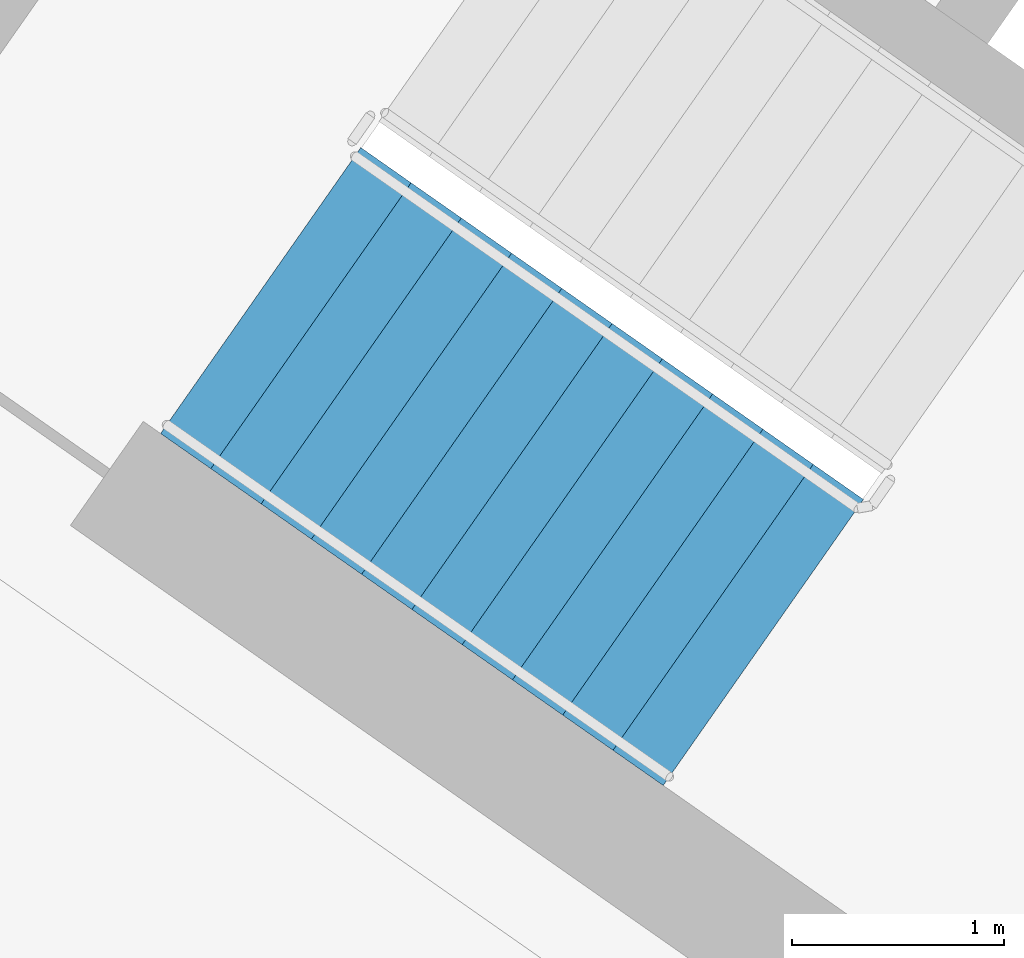
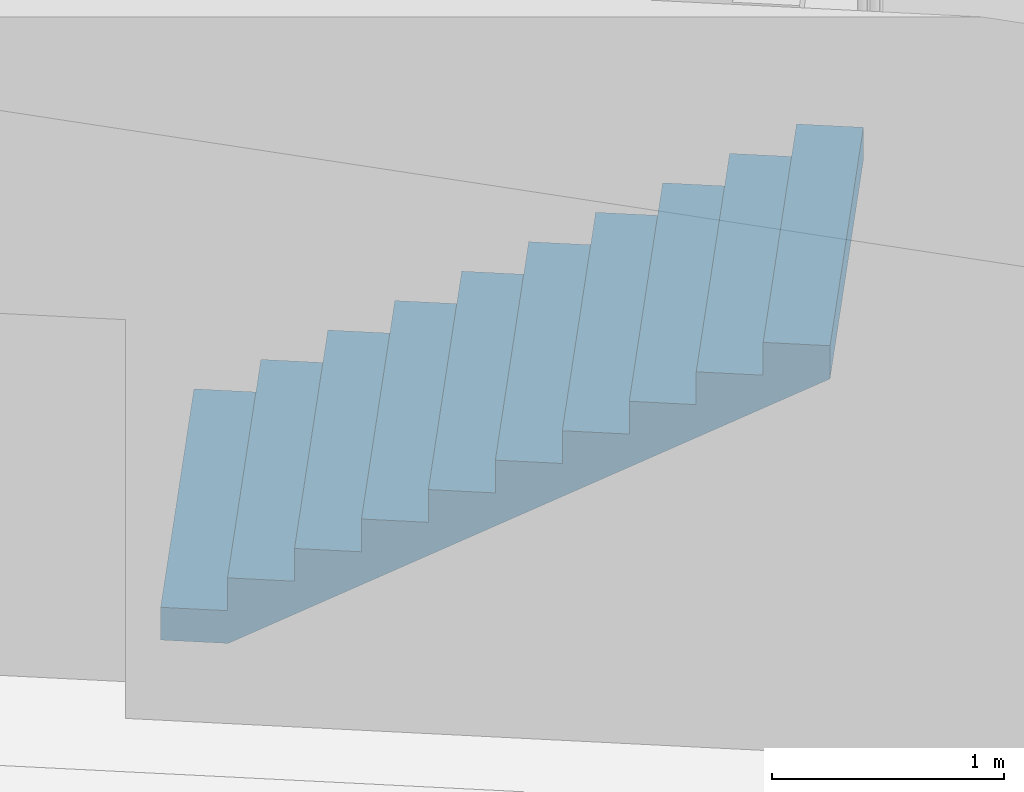
# One storey, part 9 of 27: 1 stair flight, 1 element without a shape of its own.
"""IFC4 building model written with IfcOpenShell, lengths in metres."""

from ifc_helpers import new_model, si_unit, direction, frame, origin, place, context, subcontext, project, spatial, faceted_brep, material, type_object, element, aggregate, save


model = new_model("IFC4")

# Units and contexts
model_context = context("Model", 3, precision=1e-05, world=origin(), true_north=direction((0.0, 1.0)))
body_context = subcontext(model_context, "Body", "Model", "MODEL_VIEW")
ifc_project = project(units=[si_unit("LENGTHUNIT", "METRE"), si_unit("AREAUNIT", "SQUARE_METRE"), si_unit("VOLUMEUNIT", "CUBIC_METRE"), si_unit("PLANEANGLEUNIT", "RADIAN"), si_unit("MASSUNIT", "GRAM", prefix="KILO")], contexts=[model_context])

# Site, building, storey
site_placement = place(None, origin())
site = spatial("IfcSite", under=ifc_project, at=site_placement, CompositionType="ELEMENT")
building_placement = place(site_placement, origin())
building = spatial("IfcBuilding", under=site, at=building_placement, Name="Qamariyya Broadcast Tower", CompositionType="ELEMENT")
storey_placement = place(building_placement, frame((0.0, 0.0, 237.89990234375)))
storey = spatial("IfcBuildingStorey", under=building, at=storey_placement, Name="L57", CompositionType="ELEMENT", Elevation=237.89990234375)

# Stair, stair flight
ifc_material = material(Name="Concrete C50/60", Category="concrete")
stair_type = type_object("IfcStairType", Name="Exit stair 22 risers of 173 mm", PredefinedType="HALF_TURN_STAIR", material=ifc_material)
stair_placement = place(storey_placement, origin())
stair = element("IfcStair", 1, at=stair_placement, inside=storey, type_object=stair_type, Name="L57 Stair W1", PredefinedType="HALF_TURN_STAIR")
stair_flight_type = type_object("IfcStairFlightType", Name="Exit stair flight 11 risers of 173 mm", PredefinedType="STRAIGHT", material=ifc_material)
stair_flight_placement = place(storey_placement, frame((-47.06884765625, -56.982666015625, 0.0), z_axis=(0.0, 0.0, 1.0), x_axis=(0.819152044289, -0.573576436351, 0.0)))
stair_flight = element("IfcStairFlight", 2, at=stair_flight_placement, type_object=stair_flight_type, Name="ST-W1 flight 1", NumberOfRisers=11, NumberOfTreads=10, PredefinedType="STRAIGHT", RiserHeight=0.172727273, TreadLength=0.29, context=body_context, shape_type="Brep", body=[
    faceted_brep([(0.0, 0.824951171875, 0.0), (0.0, 0.824951171875, 0.172607421875), (0.2900390625, 0.824951171875, 0.172607421875), (0.2900390625, 0.824951171875, 0.345458984375), (0.580078125, 0.824951171875, 0.345458984375), (0.580078125, 0.824951171875, 0.51806640625), (0.8701171875, 0.824951171875, 0.51806640625), (0.8701171875, 0.824951171875, 0.69091796875), (1.159912109375, 0.824951171875, 0.69091796875), (1.159912109375, 0.824951171875, 0.863525390625), (1.449951171875, 0.824951171875, 0.863525390625), (1.449951171875, 0.824951171875, 1.036376953125), (1.739990234375, 0.824951171875, 1.036376953125), (1.739990234375, 0.824951171875, 1.208984375), (2.030029296875, 0.824951171875, 1.208984375), (2.030029296875, 0.824951171875, 1.3818359375), (2.320068359375, 0.824951171875, 1.3818359375), (2.320068359375, 0.824951171875, 1.554443359375), (2.610107421875, 0.824951171875, 1.554443359375), (2.610107421875, 0.824951171875, 1.727294921875), (2.89990234375, 0.824951171875, 1.727294921875), (2.89990234375, 0.824951171875, 1.552734375), (0.29296875, 0.824951171875, 0.0), (0.29296875, -0.824951171875, 0.0), (2.89990234375, -0.824951171875, 1.552734375), (2.89990234375, -0.824951171875, 1.727294921875), (2.610107421875, -0.824951171875, 1.727294921875), (2.610107421875, -0.824951171875, 1.554443359375), (2.320068359375, -0.824951171875, 1.554443359375), (2.320068359375, -0.824951171875, 1.3818359375), (2.030029296875, -0.824951171875, 1.3818359375), (2.030029296875, -0.824951171875, 1.208984375), (1.739990234375, -0.824951171875, 1.208984375), (1.739990234375, -0.824951171875, 1.036376953125), (1.449951171875, -0.824951171875, 1.036376953125), (1.449951171875, -0.824951171875, 0.863525390625), (1.159912109375, -0.824951171875, 0.863525390625), (1.159912109375, -0.824951171875, 0.69091796875), (0.8701171875, -0.824951171875, 0.69091796875), (0.8701171875, -0.824951171875, 0.51806640625), (0.580078125, -0.824951171875, 0.51806640625), (0.580078125, -0.824951171875, 0.345458984375), (0.2900390625, -0.824951171875, 0.345458984375), (0.2900390625, -0.824951171875, 0.172607421875), (0.0, -0.824951171875, 0.172607421875), (0.0, -0.824951171875, 0.0), (0.0, 0.10009765625, 0.0), (0.0, 0.086669921875, 0.0), (0.0, 0.0732421875, 0.0), (0.0, 0.06005859375, 0.0), (0.0, 0.046630859375, 0.0), (0.0, 0.033447265625, 0.0), (0.0, 0.02001953125, 0.0), (0.0, 0.006591796875, 0.0), (0.0, -0.006591796875, 0.0), (0.0, -0.02001953125, 0.0), (0.0, -0.033447265625, 0.0), (0.0, -0.046630859375, 0.0), (0.0, -0.06005859375, 0.0), (0.0, -0.0732421875, 0.0), (0.0, -0.086669921875, 0.0), (0.0, -0.10009765625, 0.0), (0.0, -0.10009765625, 0.172607421875), (0.0, -0.086669921875, 0.172607421875), (0.0, -0.0732421875, 0.172607421875), (0.0, -0.06005859375, 0.172607421875), (0.0, -0.046630859375, 0.172607421875), (0.0, -0.033447265625, 0.172607421875), (0.0, -0.02001953125, 0.172607421875), (0.0, -0.006591796875, 0.172607421875), (0.0, 0.006591796875, 0.172607421875), (0.0, 0.02001953125, 0.172607421875), (0.0, 0.033447265625, 0.172607421875), (0.0, 0.046630859375, 0.172607421875), (0.0, 0.06005859375, 0.172607421875), (0.0, 0.0732421875, 0.172607421875), (0.0, 0.086669921875, 0.172607421875), (0.0, 0.10009765625, 0.172607421875), (0.2900390625, -0.10009765625, 0.172607421875), (0.2900390625, -0.086669921875, 0.172607421875), (0.2900390625, -0.0732421875, 0.172607421875), (0.2900390625, -0.06005859375, 0.172607421875), (0.2900390625, -0.046630859375, 0.172607421875), (0.2900390625, -0.033447265625, 0.172607421875), (0.2900390625, -0.02001953125, 0.172607421875), (0.2900390625, -0.006591796875, 0.172607421875), (0.2900390625, 0.006591796875, 0.172607421875), (0.2900390625, 0.02001953125, 0.172607421875), (0.2900390625, 0.033447265625, 0.172607421875), (0.2900390625, 0.046630859375, 0.172607421875), (0.2900390625, 0.06005859375, 0.172607421875), (0.2900390625, 0.0732421875, 0.172607421875), (0.2900390625, 0.086669921875, 0.172607421875), (0.2900390625, 0.10009765625, 0.172607421875), (0.2900390625, -0.10009765625, 0.345458984375), (0.2900390625, -0.086669921875, 0.345458984375), (0.2900390625, -0.0732421875, 0.345458984375), (0.2900390625, -0.06005859375, 0.345458984375), (0.2900390625, -0.046630859375, 0.345458984375), (0.2900390625, -0.033447265625, 0.345458984375), (0.2900390625, -0.02001953125, 0.345458984375), (0.2900390625, -0.006591796875, 0.345458984375), (0.2900390625, 0.006591796875, 0.345458984375), (0.2900390625, 0.02001953125, 0.345458984375), (0.2900390625, 0.033447265625, 0.345458984375), (0.2900390625, 0.046630859375, 0.345458984375), (0.2900390625, 0.06005859375, 0.345458984375), (0.2900390625, 0.0732421875, 0.345458984375), (0.2900390625, 0.086669921875, 0.345458984375), (0.2900390625, 0.10009765625, 0.345458984375), (0.580078125, -0.10009765625, 0.345458984375), (0.580078125, -0.086669921875, 0.345458984375), (0.580078125, -0.0732421875, 0.345458984375), (0.580078125, -0.06005859375, 0.345458984375), (0.580078125, -0.046630859375, 0.345458984375), (0.580078125, -0.033447265625, 0.345458984375), (0.580078125, -0.02001953125, 0.345458984375), (0.580078125, -0.006591796875, 0.345458984375), (0.580078125, 0.006591796875, 0.345458984375), (0.580078125, 0.02001953125, 0.345458984375), (0.580078125, 0.033447265625, 0.345458984375), (0.580078125, 0.046630859375, 0.345458984375), (0.580078125, 0.06005859375, 0.345458984375), (0.580078125, 0.0732421875, 0.345458984375), (0.580078125, 0.086669921875, 0.345458984375), (0.580078125, 0.10009765625, 0.345458984375), (0.580078125, -0.10009765625, 0.51806640625), (0.580078125, -0.086669921875, 0.51806640625), (0.580078125, -0.0732421875, 0.51806640625), (0.580078125, -0.06005859375, 0.51806640625), (0.580078125, -0.046630859375, 0.51806640625), (0.580078125, -0.033447265625, 0.51806640625), (0.580078125, -0.02001953125, 0.51806640625), (0.580078125, -0.006591796875, 0.51806640625), (0.580078125, 0.006591796875, 0.51806640625), (0.580078125, 0.02001953125, 0.51806640625), (0.580078125, 0.033447265625, 0.51806640625), (0.580078125, 0.046630859375, 0.51806640625), (0.580078125, 0.06005859375, 0.51806640625), (0.580078125, 0.0732421875, 0.51806640625), (0.580078125, 0.086669921875, 0.51806640625), (0.580078125, 0.10009765625, 0.51806640625), (0.8701171875, -0.10009765625, 0.51806640625), (0.8701171875, -0.086669921875, 0.51806640625), (0.8701171875, -0.0732421875, 0.51806640625), (0.8701171875, -0.06005859375, 0.51806640625), (0.8701171875, -0.046630859375, 0.51806640625), (0.8701171875, -0.033447265625, 0.51806640625), (0.8701171875, -0.02001953125, 0.51806640625), (0.8701171875, -0.006591796875, 0.51806640625), (0.8701171875, 0.006591796875, 0.51806640625), (0.8701171875, 0.02001953125, 0.51806640625), (0.8701171875, 0.033447265625, 0.51806640625), (0.8701171875, 0.046630859375, 0.51806640625), (0.8701171875, 0.06005859375, 0.51806640625), (0.8701171875, 0.0732421875, 0.51806640625), (0.8701171875, 0.086669921875, 0.51806640625), (0.8701171875, 0.10009765625, 0.51806640625), (0.8701171875, -0.10009765625, 0.69091796875), (0.8701171875, -0.086669921875, 0.69091796875), (0.8701171875, -0.0732421875, 0.69091796875), (0.8701171875, -0.06005859375, 0.69091796875), (0.8701171875, -0.046630859375, 0.69091796875), (0.8701171875, -0.033447265625, 0.69091796875), (0.8701171875, -0.02001953125, 0.69091796875), (0.8701171875, -0.006591796875, 0.69091796875), (0.8701171875, 0.006591796875, 0.69091796875), (0.8701171875, 0.02001953125, 0.69091796875), (0.8701171875, 0.033447265625, 0.69091796875), (0.8701171875, 0.046630859375, 0.69091796875), (0.8701171875, 0.06005859375, 0.69091796875), (0.8701171875, 0.0732421875, 0.69091796875), (0.8701171875, 0.086669921875, 0.69091796875), (0.8701171875, 0.10009765625, 0.69091796875), (1.159912109375, -0.10009765625, 0.69091796875), (1.159912109375, -0.086669921875, 0.69091796875), (1.159912109375, -0.0732421875, 0.69091796875), (1.159912109375, -0.06005859375, 0.69091796875), (1.159912109375, -0.046630859375, 0.69091796875), (1.159912109375, -0.033447265625, 0.69091796875), (1.159912109375, -0.02001953125, 0.69091796875), (1.159912109375, -0.006591796875, 0.69091796875), (1.159912109375, 0.006591796875, 0.69091796875), (1.159912109375, 0.02001953125, 0.69091796875), (1.159912109375, 0.033447265625, 0.69091796875), (1.159912109375, 0.046630859375, 0.69091796875), (1.159912109375, 0.06005859375, 0.69091796875), (1.159912109375, 0.0732421875, 0.69091796875), (1.159912109375, 0.086669921875, 0.69091796875), (1.159912109375, 0.10009765625, 0.69091796875), (1.159912109375, -0.10009765625, 0.863525390625), (1.159912109375, -0.086669921875, 0.863525390625), (1.159912109375, -0.0732421875, 0.863525390625), (1.159912109375, -0.06005859375, 0.863525390625), (1.159912109375, -0.046630859375, 0.863525390625), (1.159912109375, -0.033447265625, 0.863525390625), (1.159912109375, -0.02001953125, 0.863525390625), (1.159912109375, -0.006591796875, 0.863525390625), (1.159912109375, 0.006591796875, 0.863525390625), (1.159912109375, 0.02001953125, 0.863525390625), (1.159912109375, 0.033447265625, 0.863525390625), (1.159912109375, 0.046630859375, 0.863525390625), (1.159912109375, 0.06005859375, 0.863525390625), (1.159912109375, 0.0732421875, 0.863525390625), (1.159912109375, 0.086669921875, 0.863525390625), (1.159912109375, 0.10009765625, 0.863525390625), (1.449951171875, -0.10009765625, 0.863525390625), (1.449951171875, -0.086669921875, 0.863525390625), (1.449951171875, -0.0732421875, 0.863525390625), (1.449951171875, -0.06005859375, 0.863525390625), (1.449951171875, -0.046630859375, 0.863525390625), (1.449951171875, -0.033447265625, 0.863525390625), (1.449951171875, -0.02001953125, 0.863525390625), (1.449951171875, -0.006591796875, 0.863525390625), (1.449951171875, 0.006591796875, 0.863525390625), (1.449951171875, 0.02001953125, 0.863525390625), (1.449951171875, 0.033447265625, 0.863525390625), (1.449951171875, 0.046630859375, 0.863525390625), (1.449951171875, 0.06005859375, 0.863525390625), (1.449951171875, 0.0732421875, 0.863525390625), (1.449951171875, 0.086669921875, 0.863525390625), (1.449951171875, 0.10009765625, 0.863525390625), (1.449951171875, -0.10009765625, 1.036376953125), (1.449951171875, -0.086669921875, 1.036376953125), (1.449951171875, -0.0732421875, 1.036376953125), (1.449951171875, -0.06005859375, 1.036376953125), (1.449951171875, -0.046630859375, 1.036376953125), (1.449951171875, -0.033447265625, 1.036376953125), (1.449951171875, -0.02001953125, 1.036376953125), (1.449951171875, -0.006591796875, 1.036376953125), (1.449951171875, 0.006591796875, 1.036376953125), (1.449951171875, 0.02001953125, 1.036376953125), (1.449951171875, 0.033447265625, 1.036376953125), (1.449951171875, 0.046630859375, 1.036376953125), (1.449951171875, 0.06005859375, 1.036376953125), (1.449951171875, 0.0732421875, 1.036376953125), (1.449951171875, 0.086669921875, 1.036376953125), (1.449951171875, 0.10009765625, 1.036376953125), (1.739990234375, -0.10009765625, 1.036376953125), (1.739990234375, -0.086669921875, 1.036376953125), (1.739990234375, -0.0732421875, 1.036376953125), (1.739990234375, -0.06005859375, 1.036376953125), (1.739990234375, -0.046630859375, 1.036376953125), (1.739990234375, -0.033447265625, 1.036376953125), (1.739990234375, -0.02001953125, 1.036376953125), (1.739990234375, -0.006591796875, 1.036376953125), (1.739990234375, 0.006591796875, 1.036376953125), (1.739990234375, 0.02001953125, 1.036376953125), (1.739990234375, 0.033447265625, 1.036376953125), (1.739990234375, 0.046630859375, 1.036376953125), (1.739990234375, 0.06005859375, 1.036376953125), (1.739990234375, 0.0732421875, 1.036376953125), (1.739990234375, 0.086669921875, 1.036376953125), (1.739990234375, 0.10009765625, 1.036376953125), (1.739990234375, -0.10009765625, 1.208984375), (1.739990234375, -0.086669921875, 1.208984375), (1.739990234375, -0.0732421875, 1.208984375), (1.739990234375, -0.06005859375, 1.208984375), (1.739990234375, -0.046630859375, 1.208984375), (1.739990234375, -0.033447265625, 1.208984375), (1.739990234375, -0.02001953125, 1.208984375), (1.739990234375, -0.006591796875, 1.208984375), (1.739990234375, 0.006591796875, 1.208984375), (1.739990234375, 0.02001953125, 1.208984375), (1.739990234375, 0.033447265625, 1.208984375), (1.739990234375, 0.046630859375, 1.208984375), (1.739990234375, 0.06005859375, 1.208984375), (1.739990234375, 0.0732421875, 1.208984375), (1.739990234375, 0.086669921875, 1.208984375), (1.739990234375, 0.10009765625, 1.208984375), (2.030029296875, -0.10009765625, 1.208984375), (2.030029296875, -0.086669921875, 1.208984375), (2.030029296875, -0.0732421875, 1.208984375), (2.030029296875, -0.06005859375, 1.208984375), (2.030029296875, -0.046630859375, 1.208984375), (2.030029296875, -0.033447265625, 1.208984375), (2.030029296875, -0.02001953125, 1.208984375), (2.030029296875, -0.006591796875, 1.208984375), (2.030029296875, 0.006591796875, 1.208984375), (2.030029296875, 0.02001953125, 1.208984375), (2.030029296875, 0.033447265625, 1.208984375), (2.030029296875, 0.046630859375, 1.208984375), (2.030029296875, 0.06005859375, 1.208984375), (2.030029296875, 0.0732421875, 1.208984375), (2.030029296875, 0.086669921875, 1.208984375), (2.030029296875, 0.10009765625, 1.208984375), (2.030029296875, -0.10009765625, 1.3818359375), (2.030029296875, -0.086669921875, 1.3818359375), (2.030029296875, -0.0732421875, 1.3818359375), (2.030029296875, -0.06005859375, 1.3818359375), (2.030029296875, -0.046630859375, 1.3818359375), (2.030029296875, -0.033447265625, 1.3818359375), (2.030029296875, -0.02001953125, 1.3818359375), (2.030029296875, -0.006591796875, 1.3818359375), (2.030029296875, 0.006591796875, 1.3818359375), (2.030029296875, 0.02001953125, 1.3818359375), (2.030029296875, 0.033447265625, 1.3818359375), (2.030029296875, 0.046630859375, 1.3818359375), (2.030029296875, 0.06005859375, 1.3818359375), (2.030029296875, 0.0732421875, 1.3818359375), (2.030029296875, 0.086669921875, 1.3818359375), (2.030029296875, 0.10009765625, 1.3818359375), (2.320068359375, -0.10009765625, 1.3818359375), (2.320068359375, -0.086669921875, 1.3818359375), (2.320068359375, -0.0732421875, 1.3818359375), (2.320068359375, -0.06005859375, 1.3818359375), (2.320068359375, -0.046630859375, 1.3818359375), (2.320068359375, -0.033447265625, 1.3818359375), (2.320068359375, -0.02001953125, 1.3818359375), (2.320068359375, -0.006591796875, 1.3818359375), (2.320068359375, 0.006591796875, 1.3818359375), (2.320068359375, 0.02001953125, 1.3818359375), (2.320068359375, 0.033447265625, 1.3818359375), (2.320068359375, 0.046630859375, 1.3818359375), (2.320068359375, 0.06005859375, 1.3818359375), (2.320068359375, 0.0732421875, 1.3818359375), (2.320068359375, 0.086669921875, 1.3818359375), (2.320068359375, 0.10009765625, 1.3818359375), (2.320068359375, -0.10009765625, 1.554443359375), (2.320068359375, -0.086669921875, 1.554443359375), (2.320068359375, -0.0732421875, 1.554443359375), (2.320068359375, -0.06005859375, 1.554443359375), (2.320068359375, -0.046630859375, 1.554443359375), (2.320068359375, -0.033447265625, 1.554443359375), (2.320068359375, -0.02001953125, 1.554443359375), (2.320068359375, -0.006591796875, 1.554443359375), (2.320068359375, 0.006591796875, 1.554443359375), (2.320068359375, 0.02001953125, 1.554443359375), (2.320068359375, 0.033447265625, 1.554443359375), (2.320068359375, 0.046630859375, 1.554443359375), (2.320068359375, 0.06005859375, 1.554443359375), (2.320068359375, 0.0732421875, 1.554443359375), (2.320068359375, 0.086669921875, 1.554443359375), (2.320068359375, 0.10009765625, 1.554443359375), (2.610107421875, -0.10009765625, 1.554443359375), (2.610107421875, -0.086669921875, 1.554443359375), (2.610107421875, -0.0732421875, 1.554443359375), (2.610107421875, -0.06005859375, 1.554443359375), (2.610107421875, -0.046630859375, 1.554443359375), (2.610107421875, -0.033447265625, 1.554443359375), (2.610107421875, -0.02001953125, 1.554443359375), (2.610107421875, -0.006591796875, 1.554443359375), (2.610107421875, 0.006591796875, 1.554443359375), (2.610107421875, 0.02001953125, 1.554443359375), (2.610107421875, 0.033447265625, 1.554443359375), (2.610107421875, 0.046630859375, 1.554443359375), (2.610107421875, 0.06005859375, 1.554443359375), (2.610107421875, 0.0732421875, 1.554443359375), (2.610107421875, 0.086669921875, 1.554443359375), (2.610107421875, 0.10009765625, 1.554443359375), (2.610107421875, -0.10009765625, 1.727294921875), (2.610107421875, -0.086669921875, 1.727294921875), (2.610107421875, -0.0732421875, 1.727294921875), (2.610107421875, -0.06005859375, 1.727294921875), (2.610107421875, -0.046630859375, 1.727294921875), (2.610107421875, -0.033447265625, 1.727294921875), (2.610107421875, -0.02001953125, 1.727294921875), (2.610107421875, -0.006591796875, 1.727294921875), (2.610107421875, 0.006591796875, 1.727294921875), (2.610107421875, 0.02001953125, 1.727294921875), (2.610107421875, 0.033447265625, 1.727294921875), (2.610107421875, 0.046630859375, 1.727294921875), (2.610107421875, 0.06005859375, 1.727294921875), (2.610107421875, 0.0732421875, 1.727294921875), (2.610107421875, 0.086669921875, 1.727294921875), (2.610107421875, 0.10009765625, 1.727294921875), (2.89990234375, -0.10009765625, 1.727294921875), (2.89990234375, -0.086669921875, 1.727294921875), (2.89990234375, -0.0732421875, 1.727294921875), (2.89990234375, -0.06005859375, 1.727294921875), (2.89990234375, -0.046630859375, 1.727294921875), (2.89990234375, -0.033447265625, 1.727294921875), (2.89990234375, -0.02001953125, 1.727294921875), (2.89990234375, -0.006591796875, 1.727294921875), (2.89990234375, 0.006591796875, 1.727294921875), (2.89990234375, 0.02001953125, 1.727294921875), (2.89990234375, 0.033447265625, 1.727294921875), (2.89990234375, 0.046630859375, 1.727294921875), (2.89990234375, 0.06005859375, 1.727294921875), (2.89990234375, 0.0732421875, 1.727294921875), (2.89990234375, 0.086669921875, 1.727294921875), (2.89990234375, 0.10009765625, 1.727294921875), (2.89990234375, -0.10009765625, 1.552734375), (2.89990234375, -0.086669921875, 1.552734375), (2.89990234375, -0.0732421875, 1.552734375), (2.89990234375, -0.06005859375, 1.552734375), (2.89990234375, -0.046630859375, 1.552734375), (2.89990234375, -0.033447265625, 1.552734375), (2.89990234375, -0.02001953125, 1.552734375), (2.89990234375, -0.006591796875, 1.552734375), (2.89990234375, 0.006591796875, 1.552734375), (2.89990234375, 0.02001953125, 1.552734375), (2.89990234375, 0.033447265625, 1.552734375), (2.89990234375, 0.046630859375, 1.552734375), (2.89990234375, 0.06005859375, 1.552734375), (2.89990234375, 0.0732421875, 1.552734375), (2.89990234375, 0.086669921875, 1.552734375), (2.89990234375, 0.10009765625, 1.552734375), (0.29296875, -0.10009765625, 0.0), (0.29296875, -0.086669921875, 0.0), (0.29296875, -0.0732421875, 0.0), (0.29296875, -0.06005859375, 0.0), (0.29296875, -0.046630859375, 0.0), (0.29296875, -0.033447265625, 0.0), (0.29296875, -0.02001953125, 0.0), (0.29296875, -0.006591796875, 0.0), (0.29296875, 0.006591796875, 0.0), (0.29296875, 0.02001953125, 0.0), (0.29296875, 0.033447265625, 0.0), (0.29296875, 0.046630859375, 0.0), (0.29296875, 0.06005859375, 0.0), (0.29296875, 0.0732421875, 0.0), (0.29296875, 0.086669921875, 0.0), (0.29296875, 0.10009765625, 0.0)], [[[0, 1, 2, 3, 4, 5, 6, 7, 8, 9, 10, 11, 12, 13, 14, 15, 16, 17, 18, 19, 20, 21, 22]], [[23, 24, 25, 26, 27, 28, 29, 30, 31, 32, 33, 34, 35, 36, 37, 38, 39, 40, 41, 42, 43, 44, 45]], [[0, 46, 47, 48, 49, 50, 51, 52, 53, 54, 55, 56, 57, 58, 59, 60, 61, 45, 44, 62, 63, 64, 65, 66, 67, 68, 69, 70, 71, 72, 73, 74, 75, 76, 77, 1]], [[1, 77, 76, 75, 74, 73, 72, 71, 70, 69, 68, 67, 66, 65, 64, 63, 62, 44, 43, 78, 79, 80, 81, 82, 83, 84, 85, 86, 87, 88, 89, 90, 91, 92, 93, 2]], [[2, 93, 92, 91, 90, 89, 88, 87, 86, 85, 84, 83, 82, 81, 80, 79, 78, 43, 42, 94, 95, 96, 97, 98, 99, 100, 101, 102, 103, 104, 105, 106, 107, 108, 109, 3]], [[3, 109, 108, 107, 106, 105, 104, 103, 102, 101, 100, 99, 98, 97, 96, 95, 94, 42, 41, 110, 111, 112, 113, 114, 115, 116, 117, 118, 119, 120, 121, 122, 123, 124, 125, 4]], [[4, 125, 124, 123, 122, 121, 120, 119, 118, 117, 116, 115, 114, 113, 112, 111, 110, 41, 40, 126, 127, 128, 129, 130, 131, 132, 133, 134, 135, 136, 137, 138, 139, 140, 141, 5]], [[5, 141, 140, 139, 138, 137, 136, 135, 134, 133, 132, 131, 130, 129, 128, 127, 126, 40, 39, 142, 143, 144, 145, 146, 147, 148, 149, 150, 151, 152, 153, 154, 155, 156, 157, 6]], [[6, 157, 156, 155, 154, 153, 152, 151, 150, 149, 148, 147, 146, 145, 144, 143, 142, 39, 38, 158, 159, 160, 161, 162, 163, 164, 165, 166, 167, 168, 169, 170, 171, 172, 173, 7]], [[7, 173, 172, 171, 170, 169, 168, 167, 166, 165, 164, 163, 162, 161, 160, 159, 158, 38, 37, 174, 175, 176, 177, 178, 179, 180, 181, 182, 183, 184, 185, 186, 187, 188, 189, 8]], [[8, 189, 188, 187, 186, 185, 184, 183, 182, 181, 180, 179, 178, 177, 176, 175, 174, 37, 36, 190, 191, 192, 193, 194, 195, 196, 197, 198, 199, 200, 201, 202, 203, 204, 205, 9]], [[9, 205, 204, 203, 202, 201, 200, 199, 198, 197, 196, 195, 194, 193, 192, 191, 190, 36, 35, 206, 207, 208, 209, 210, 211, 212, 213, 214, 215, 216, 217, 218, 219, 220, 221, 10]], [[10, 221, 220, 219, 218, 217, 216, 215, 214, 213, 212, 211, 210, 209, 208, 207, 206, 35, 34, 222, 223, 224, 225, 226, 227, 228, 229, 230, 231, 232, 233, 234, 235, 236, 237, 11]], [[11, 237, 236, 235, 234, 233, 232, 231, 230, 229, 228, 227, 226, 225, 224, 223, 222, 34, 33, 238, 239, 240, 241, 242, 243, 244, 245, 246, 247, 248, 249, 250, 251, 252, 253, 12]], [[12, 253, 252, 251, 250, 249, 248, 247, 246, 245, 244, 243, 242, 241, 240, 239, 238, 33, 32, 254, 255, 256, 257, 258, 259, 260, 261, 262, 263, 264, 265, 266, 267, 268, 269, 13]], [[13, 269, 268, 267, 266, 265, 264, 263, 262, 261, 260, 259, 258, 257, 256, 255, 254, 32, 31, 270, 271, 272, 273, 274, 275, 276, 277, 278, 279, 280, 281, 282, 283, 284, 285, 14]], [[14, 285, 284, 283, 282, 281, 280, 279, 278, 277, 276, 275, 274, 273, 272, 271, 270, 31, 30, 286, 287, 288, 289, 290, 291, 292, 293, 294, 295, 296, 297, 298, 299, 300, 301, 15]], [[15, 301, 300, 299, 298, 297, 296, 295, 294, 293, 292, 291, 290, 289, 288, 287, 286, 30, 29, 302, 303, 304, 305, 306, 307, 308, 309, 310, 311, 312, 313, 314, 315, 316, 317, 16]], [[16, 317, 316, 315, 314, 313, 312, 311, 310, 309, 308, 307, 306, 305, 304, 303, 302, 29, 28, 318, 319, 320, 321, 322, 323, 324, 325, 326, 327, 328, 329, 330, 331, 332, 333, 17]], [[17, 333, 332, 331, 330, 329, 328, 327, 326, 325, 324, 323, 322, 321, 320, 319, 318, 28, 27, 334, 335, 336, 337, 338, 339, 340, 341, 342, 343, 344, 345, 346, 347, 348, 349, 18]], [[18, 349, 348, 347, 346, 345, 344, 343, 342, 341, 340, 339, 338, 337, 336, 335, 334, 27, 26, 350, 351, 352, 353, 354, 355, 356, 357, 358, 359, 360, 361, 362, 363, 364, 365, 19]], [[19, 365, 364, 363, 362, 361, 360, 359, 358, 357, 356, 355, 354, 353, 352, 351, 350, 26, 25, 366, 367, 368, 369, 370, 371, 372, 373, 374, 375, 376, 377, 378, 379, 380, 381, 20]], [[20, 381, 380, 379, 378, 377, 376, 375, 374, 373, 372, 371, 370, 369, 368, 367, 366, 25, 24, 382, 383, 384, 385, 386, 387, 388, 389, 390, 391, 392, 393, 394, 395, 396, 397, 21]], [[21, 397, 396, 395, 394, 393, 392, 391, 390, 389, 388, 387, 386, 385, 384, 383, 382, 24, 23, 398, 399, 400, 401, 402, 403, 404, 405, 406, 407, 408, 409, 410, 411, 412, 413, 22]], [[22, 413, 412, 411, 410, 409, 408, 407, 406, 405, 404, 403, 402, 401, 400, 399, 398, 23, 45, 61, 60, 59, 58, 57, 56, 55, 54, 53, 52, 51, 50, 49, 48, 47, 46, 0]]]),
])
aggregate(stair, [stair_flight])

save(model, "model.ifc")
